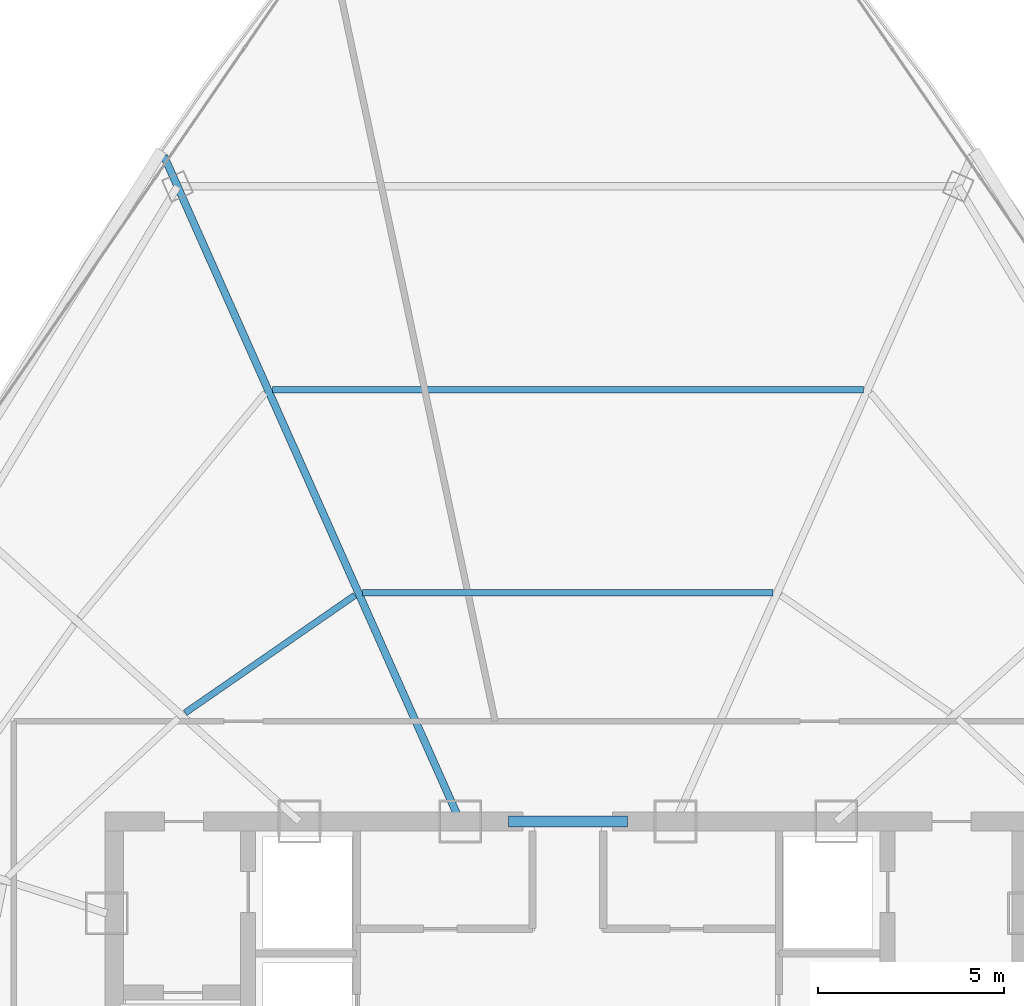
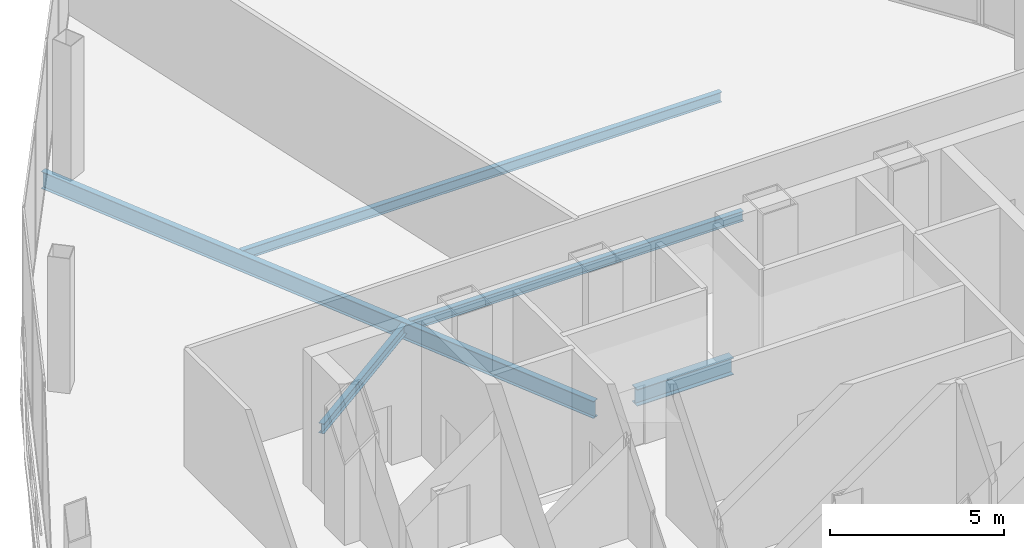
# One storey, part 13 of 33: 5 beams.
"""IFC4 building model written with IfcOpenShell, lengths in metres."""

from ifc_helpers import new_model, si_unit, direction, frame, origin, origin_2d, place, context, subcontext, project, spatial, i_section, extrude, source, transform, mapped, material, material_profile, profile_set, type_object, element, save


model = new_model("IFC4")

# Units and contexts
model_context = context("Model", 3, precision=1e-05, world=origin(), true_north=direction((0.0, 1.0)))
body_context = subcontext(model_context, "Body", "Model", "MODEL_VIEW")
ifc_project = project(units=[si_unit("LENGTHUNIT", "METRE"), si_unit("AREAUNIT", "SQUARE_METRE"), si_unit("VOLUMEUNIT", "CUBIC_METRE"), si_unit("PLANEANGLEUNIT", "RADIAN"), si_unit("MASSUNIT", "GRAM", prefix="KILO"), si_unit("THERMODYNAMICTEMPERATUREUNIT", "KELVIN"), si_unit("POWERUNIT", "WATT")], contexts=[model_context])

# Site, building, storey
site_placement = place(None, origin())
site = spatial("IfcSite", under=ifc_project, at=site_placement, CompositionType="ELEMENT")
building_placement = place(site_placement, origin())
building = spatial("IfcBuilding", under=site, at=building_placement, Name="Yunzhuo Pagoda Commons", CompositionType="ELEMENT")
storey_placement = place(building_placement, frame((0.0, 0.0, 386.760009765625)))
storey = spatial("IfcBuildingStorey", under=building, at=storey_placement, Name="L96", CompositionType="ELEMENT", Elevation=386.760009765625)

# Beams
ifc_material_1 = material(Name="Structural steel Q420B", Category="steel")
ifc_material_profile_1 = material_profile(ifc_material_1, i_section(OverallWidth=0.300048828125, OverallDepth=0.587890625, WebThickness=0.011962890625, FlangeThickness=0.02001953125, at=origin_2d()), Name="Structural steel Q420B")
ifc_profile_set_1 = profile_set([ifc_material_profile_1], Name="Structural steel Q420B")
beam_type_1 = type_object("IfcBeamType", Name="B-CPL Beam HM 588x300x12x20", PredefinedType="BEAM", material=ifc_profile_set_1)
shared_shape_1 = source(origin(), body_context, "Body", "SweptSolid", [
    extrude(i_section(OverallWidth=0.300048828125, OverallDepth=0.587890625, WebThickness=0.011962890625, FlangeThickness=0.02001953125, at=origin_2d()), origin(), (0.0, 0.0, 1.0), 3.2001953125),
])
beam_1_placement = place(storey_placement, frame((46.39990234375, 40.199951171875, -0.573974609375), z_axis=(1.0, 0.0, 0.0), x_axis=(0.0, 1.0, 0.0)))
element("IfcBeam", 1, at=beam_1_placement, inside=storey, type_object=beam_type_1, Name="L96 core coupling girder", PredefinedType="BEAM", context=body_context, shape_type="MappedRepresentation", body=[
    mapped(shared_shape_1, transform((0.0, 0.0, 0.0), scale=1.0)),
])
ifc_material_2 = material(Name="Structural steel Q355B", Category="steel")
ifc_material_profile_2 = material_profile(ifc_material_2, i_section(OverallWidth=0.175048828125, OverallDepth=0.35009765625, WebThickness=0.007080078125, FlangeThickness=0.010986328125, at=origin_2d()), Name="Structural steel Q355B")
ifc_profile_set_2 = profile_set([ifc_material_profile_2], Name="Structural steel Q355B")
beam_type_2 = type_object("IfcBeamType", Name="B-JS2 Joist HN 350x175x7x11", PredefinedType="JOIST", material=ifc_profile_set_2)
shared_shape_2 = source(origin(), body_context, "Body", "SweptSolid", [
    extrude(i_section(OverallWidth=0.175048828125, OverallDepth=0.35009765625, WebThickness=0.007080078125, FlangeThickness=0.010986328125, at=origin_2d()), origin(), (0.0, 0.0, 1.0), 5.556640625),
])
beam_2_placement = place(storey_placement, frame((42.273681640625, 46.28369140625, -0.455078125), z_axis=(-0.822084621883, -0.569365326011, 0.0), x_axis=(0.569365326011, -0.822084621883, 0.0)))
element("IfcBeam", 2, at=beam_2_placement, inside=storey, type_object=beam_type_2, Name="L96 composite ring joist 1.9", PredefinedType="JOIST", context=body_context, shape_type="MappedRepresentation", body=[
    mapped(shared_shape_2, transform((0.0, 0.0, 0.0), scale=1.0)),
])
shared_shape_3 = source(origin(), body_context, "Body", "SweptSolid", [
    extrude(i_section(OverallWidth=0.175048828125, OverallDepth=0.35009765625, WebThickness=0.007080078125, FlangeThickness=0.010986328125, at=origin_2d()), origin(), (0.0, 0.0, 1.0), 11.03369140625),
])
beam_3_placement = place(storey_placement, frame((53.516845703125, 46.34912109375, -0.455078125), z_axis=(-1.0, 0.0, 0.0), x_axis=(0.0, -1.0, 0.0)))
element("IfcBeam", 3, at=beam_3_placement, inside=storey, type_object=beam_type_2, Name="L96 composite ring joist 1.8", PredefinedType="JOIST", context=body_context, shape_type="MappedRepresentation", body=[
    mapped(shared_shape_3, transform((0.0, 0.0, 0.0), scale=1.0)),
])
shared_shape_4 = source(origin(), body_context, "Body", "SweptSolid", [
    extrude(i_section(OverallWidth=0.175048828125, OverallDepth=0.35009765625, WebThickness=0.007080078125, FlangeThickness=0.010986328125, at=origin_2d()), origin(), (0.0, 0.0, 1.0), 15.900390625),
])
beam_4_placement = place(storey_placement, frame((55.9501953125, 51.81494140625, -0.455078125), z_axis=(-1.0, 0.0, 0.0), x_axis=(0.0, -1.0, 0.0)))
element("IfcBeam", 4, at=beam_4_placement, inside=storey, type_object=beam_type_2, Name="L96 composite ring joist 2.8", PredefinedType="JOIST", context=body_context, shape_type="MappedRepresentation", body=[
    mapped(shared_shape_4, transform((0.0, 0.0, 0.0), scale=1.0)),
])
ifc_material_profile_3 = material_profile(ifc_material_2, i_section(OverallWidth=0.199951171875, OverallDepth=0.60009765625, WebThickness=0.010986328125, FlangeThickness=0.01708984375, at=origin_2d()), Name="Structural steel Q355B")
ifc_profile_set_3 = profile_set([ifc_material_profile_3], Name="Structural steel Q355B")
beam_type_3 = type_object("IfcBeamType", Name="B-RG3 Beam HN 600x200x11x17", PredefinedType="BEAM", material=ifc_profile_set_3)
shared_shape_5 = source(origin(), body_context, "Body", "SweptSolid", [
    extrude(i_section(OverallWidth=0.199951171875, OverallDepth=0.60009765625, WebThickness=0.010986328125, FlangeThickness=0.01708984375, at=origin_2d()), origin(), (0.0, 0.0, 1.0), 19.59228515625),
])
beam_5_placement = place(storey_placement, frame((37.13720703125, 58.098388671875, -0.580078125), z_axis=(0.406730347382, -0.91354826064, 0.0), x_axis=(0.91354826064, 0.406730347382, 0.0)))
element("IfcBeam", 5, at=beam_5_placement, inside=storey, type_object=beam_type_3, Name="L96 radial floor girder F3C1", PredefinedType="BEAM", context=body_context, shape_type="MappedRepresentation", body=[
    mapped(shared_shape_5, transform((0.0, 0.0, 0.0), scale=1.0)),
])

save(model, "model.ifc")
